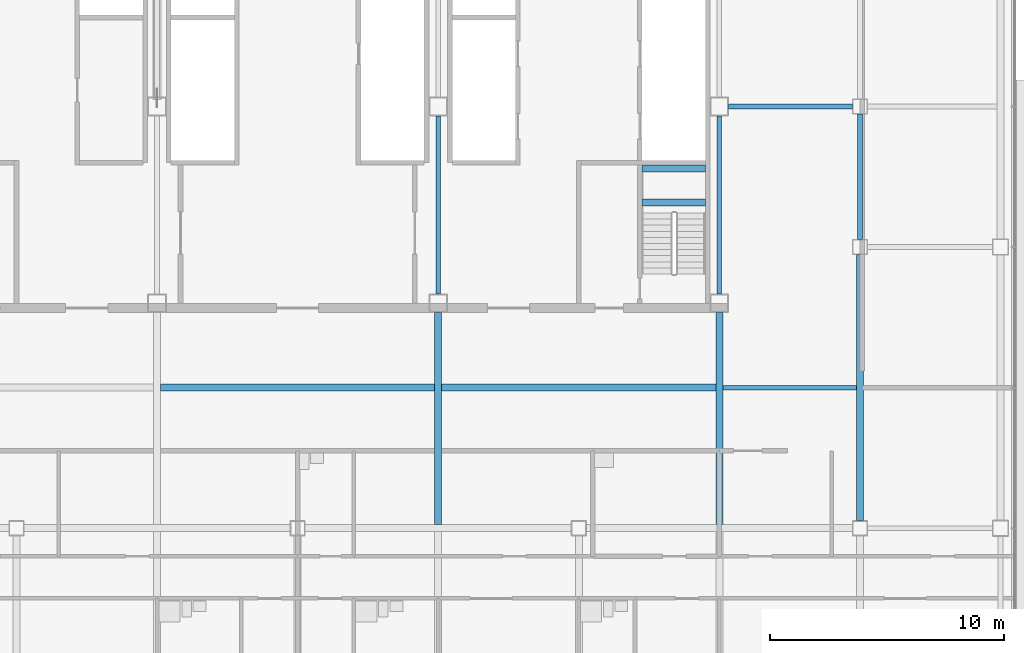
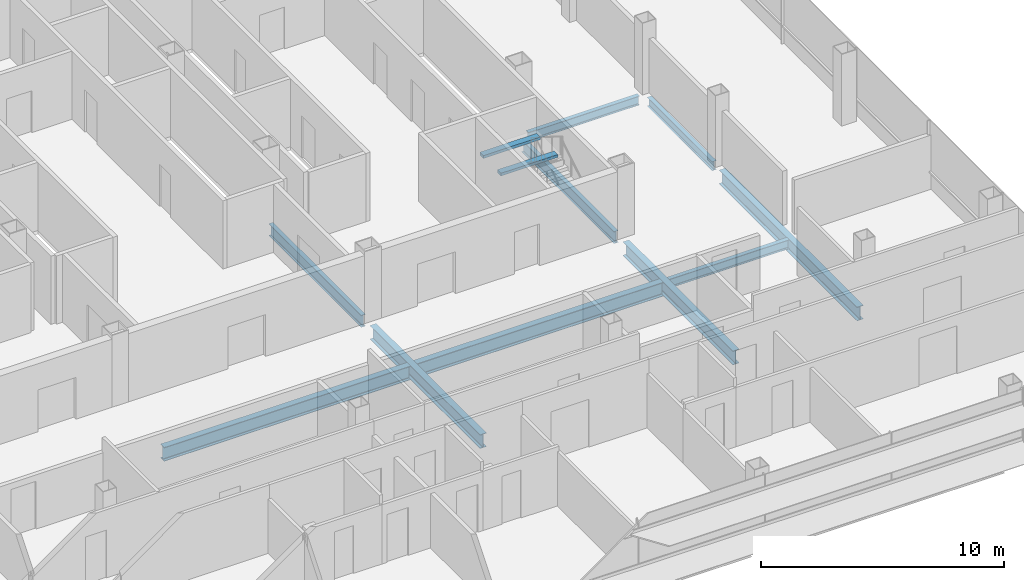
# One storey, part 10 of 27: 12 beams.
"""IFC4 building model written with IfcOpenShell, lengths in metres."""

import ifcopenshell
import ifcopenshell.guid

model = None  # the IFC model being written
_history = None  # IfcOwnerHistory: only IFC2X3 demands one
_inside = {}  # id of a spatial element -> (the spatial element, [elements in it])
_under = {}  # id of a project, library or spatial element -> (it, [spatial elements below it])
_declared = {}  # id of a project -> (the project, [libraries it declares])
_typed = {}  # id of a type object -> (the type object, [elements of that type])
_made_of = {}  # id of a material, layer set ... -> (it, [elements and type objects made of it])


def new_model(schema):
    """Start an empty IFC model of exactly this schema.

    Asked for "IFC4X3", IfcOpenShell would pick the latest addendum, in which some entities
    have other attributes; the version numbers below select the first issue.
    IFC2X3 requires an IfcOwnerHistory on every rooted entity: one is made here for all.
    """
    global model, _history
    if schema == "IFC4X3":
        model = ifcopenshell.file(schema_version=(4, 3, 0, 0))
    else:
        model = ifcopenshell.file(schema=schema)
    _inside.clear()
    _under.clear()
    _declared.clear()
    _typed.clear()
    _made_of.clear()
    _history = None
    if model.schema == "IFC2X3":
        org = make("IfcOrganization", Name="unknown")
        user = make(
            "IfcPersonAndOrganization",
            ThePerson=make("IfcPerson", FamilyName="unknown"),
            TheOrganization=org,
        )
        app = make(
            "IfcApplication",
            ApplicationDeveloper=org,
            Version="unknown",
            ApplicationFullName="unknown",
            ApplicationIdentifier="unknown",
        )
        _history = make(
            "IfcOwnerHistory",
            OwningUser=user,
            OwningApplication=app,
            ChangeAction="ADDED",
            CreationDate=0,
        )
    return model


def make(cls, **values):
    """One entity of the class cls with the attributes given. An attribute that is None is left unset."""
    return model.create_entity(
        cls, **{name: value for name, value in values.items() if value is not None}
    )


def rooted(cls, **values):
    """An entity with a GlobalId (a new one), such as an element, a storey or a relation."""
    return make(cls, GlobalId=ifcopenshell.guid.new(), OwnerHistory=_history, **values)


def si_unit(unit_type, name, prefix=None):
    """IfcSIUnit, for example si_unit("LENGTHUNIT", "METRE", prefix="MILLI")."""
    return make("IfcSIUnit", UnitType=unit_type, Prefix=prefix, Name=name)


def assignment(units):
    """IfcUnitAssignment: the units of a project."""
    return None if units is None else make("IfcUnitAssignment", Units=units)


def point(xyz):
    """IfcCartesianPoint."""
    return None if xyz is None else make("IfcCartesianPoint", Coordinates=xyz)


def direction(xyz):
    """IfcDirection."""
    return None if xyz is None else make("IfcDirection", DirectionRatios=xyz)


def frame(location, z_axis=None, x_axis=None):
    """IfcAxis2Placement3D, a coordinate frame: its origin and axes. An axis left out is left unset."""
    return make(
        "IfcAxis2Placement3D",
        Location=point(location),
        Axis=direction(z_axis),
        RefDirection=direction(x_axis),
    )


def frame_2d(location, x_axis=None):
    """IfcAxis2Placement2D, a coordinate frame in the plane: its origin and x axis."""
    return make(
        "IfcAxis2Placement2D", Location=point(location), RefDirection=direction(x_axis)
    )


def origin():
    """The frame at (0, 0, 0) with its axes left unset."""
    return frame((0.0, 0.0, 0.0))


def origin_2d():
    """The frame at (0, 0) in the plane with its x axis left unset."""
    return frame_2d((0.0, 0.0))


def place(relative_to, where):
    """IfcLocalPlacement: puts the frame where relative to a parent placement (None: the world)."""
    return make(
        "IfcLocalPlacement", PlacementRelTo=relative_to, RelativePlacement=where
    )


def context(
    kind, dimensions, precision=None, world=None, true_north=None, identifier=None
):
    """IfcGeometricRepresentationContext, for example the 3D "Model" context."""
    return make(
        "IfcGeometricRepresentationContext",
        ContextIdentifier=identifier,
        ContextType=kind,
        CoordinateSpaceDimension=dimensions,
        Precision=precision,
        WorldCoordinateSystem=world,
        TrueNorth=true_north,
    )


def subcontext(parent, identifier, kind, view, scale=None):
    """IfcGeometricRepresentationSubContext, for example "Body" below "Model"."""
    return make(
        "IfcGeometricRepresentationSubContext",
        ContextIdentifier=identifier,
        ContextType=kind,
        ParentContext=parent,
        TargetScale=scale,
        TargetView=view,
    )


def project(units=None, contexts=None):
    """IfcProject with its units and contexts."""
    return rooted(
        "IfcProject",
        Name="project",
        RepresentationContexts=contexts,
        UnitsInContext=assignment(units),
    )


def spatial(cls, under=None, at=None, **own):
    """A site, building, storey or space (cls), placed at a placement, below another one or the project."""
    s = rooted(cls, ObjectPlacement=at, **own)
    if under is not None:
        _under.setdefault(under.id(), (under, []))[1].append(s)
    return s


def profile(cls, at=None, kind="AREA", **sizes):
    """A parametric profile (cls). Its sizes go by their IFC names, for example OverallWidth=200.0."""
    return make(cls, ProfileType=kind, Position=at, **sizes)


def rectangle(**sizes):
    """IfcRectangleProfileDef."""
    return profile("IfcRectangleProfileDef", **sizes)


def i_section(**sizes):
    """IfcIShapeProfileDef."""
    return profile("IfcIShapeProfileDef", **sizes)


def extrude(swept, where, along, depth):
    """IfcExtrudedAreaSolid: the profile swept, set in the frame where, extruded along a direction by depth."""
    return make(
        "IfcExtrudedAreaSolid",
        SweptArea=swept,
        Position=where,
        ExtrudedDirection=direction(along),
        Depth=depth,
    )


def shape(context_of_items, identifier, shape_type, items):
    """IfcShapeRepresentation: the items that make up one representation, for example the "Body"."""
    return make(
        "IfcShapeRepresentation",
        ContextOfItems=context_of_items,
        RepresentationIdentifier=identifier,
        RepresentationType=shape_type,
        Items=items,
    )


def material(Name=None, Category=None):
    """IfcMaterial."""
    return make("IfcMaterial", Name=Name, Category=Category)


def material_profile(
    of_material, cross_section, Name=None, Category=None, Priority=None
):
    """IfcMaterialProfile: a cross section and its material."""
    return make(
        "IfcMaterialProfile",
        Name=Name,
        Material=of_material,
        Profile=cross_section,
        Priority=Priority,
        Category=Category,
    )


def profile_set(profiles, Name=None, composite=None):
    """IfcMaterialProfileSet."""
    return make(
        "IfcMaterialProfileSet",
        Name=Name,
        MaterialProfiles=profiles,
        CompositeProfile=composite,
    )


def made_of(thing, what):
    """Note that an element or type object is made of a material, layer set ...; save() writes the relation."""
    if what is not None:
        _made_of.setdefault(what.id(), (what, []))[1].append(thing)
    return thing


def type_object(cls, material=None, **own):
    """A type object (cls), such as IfcWallType, which elements share."""
    return made_of(rooted(cls, **own), material)


def element(
    cls,
    number,
    at=None,
    inside=None,
    cuts=None,
    type_object=None,
    material=None,
    context=None,
    identifier="Body",
    shape_type=None,
    held_by="IfcProductDefinitionShape",
    body=None,
    shapes=None,
    **own,
):
    """One element of the class cls, such as IfcWall. Its Tag is "e" and its number.

    at: its placement. inside: the storey or other place that contains it. cuts: it is an
    opening in that element (IfcRelVoidsElement). A single representation is given by context,
    identifier, shape_type and body (its items); several are given by shapes. held_by: the class
    of the entity that holds the representations. save() writes the other relations.
    """
    e = rooted(cls, Tag="e%d" % number, ObjectPlacement=at, **own)
    if body is not None:
        shapes = [shape(context, identifier, shape_type, body)]
    if shapes is not None:
        e.Representation = make(held_by, Representations=shapes)
    if inside is not None:
        _inside.setdefault(inside.id(), (inside, []))[1].append(e)
    if cuts is not None:
        rooted(
            "IfcRelVoidsElement", RelatingBuildingElement=cuts, RelatedOpeningElement=e
        )
    if type_object is not None:
        _typed.setdefault(type_object.id(), (type_object, []))[1].append(e)
    return made_of(e, material)


def aggregate(whole, parts):
    """IfcRelAggregates: a whole, such as a stair, and the parts it consists of."""
    return rooted("IfcRelAggregates", RelatingObject=whole, RelatedObjects=parts)


def save(model, path):
    """Write the relations noted so far, then the file.

    IfcRelAggregates (storeys below a building ...), IfcRelContainedInSpatialStructure (elements
    in a storey), IfcRelDefinesByType, IfcRelAssociatesMaterial and IfcRelDeclares: one each for
    every whole, place, type object, material and project.
    """
    for whole, parts in _under.values():
        aggregate(whole, parts)
    for where, things in _inside.values():
        rooted(
            "IfcRelContainedInSpatialStructure",
            RelatedElements=things,
            RelatingStructure=where,
        )
    for kind, things in _typed.values():
        rooted("IfcRelDefinesByType", RelatedObjects=things, RelatingType=kind)
    for what, things in _made_of.values():
        rooted("IfcRelAssociatesMaterial", RelatedObjects=things, RelatingMaterial=what)
    for by, libraries in _declared.values():
        rooted("IfcRelDeclares", RelatingContext=by, RelatedDefinitions=libraries)
    model.write(path)


model = new_model("IFC4")

# Units and contexts
model_context = context("Model", 3, precision=1e-05, world=origin(), true_north=direction((0.0, 1.0)))
body_context = subcontext(model_context, "Body", "Model", "MODEL_VIEW")
ifc_project = project(units=[si_unit("LENGTHUNIT", "METRE"), si_unit("AREAUNIT", "SQUARE_METRE"), si_unit("VOLUMEUNIT", "CUBIC_METRE"), si_unit("PLANEANGLEUNIT", "RADIAN"), si_unit("MASSUNIT", "GRAM", prefix="KILO")], contexts=[model_context])

# Site, building, storey
site_placement = place(None, origin())
site = spatial("IfcSite", under=ifc_project, at=site_placement, CompositionType="ELEMENT")
building_placement = place(site_placement, origin())
building = spatial("IfcBuilding", under=site, at=building_placement, Name="Sorahane Residences", CompositionType="ELEMENT")
storey_placement = place(building_placement, frame((0.0, 0.0, 195.60009765625)))
storey = spatial("IfcBuildingStorey", under=building, at=storey_placement, Name="L45", CompositionType="ELEMENT", Elevation=195.60009765625)

# Beams
ifc_material_1 = material(Name="Concrete C40", Category="concrete")
ifc_material_profile_1 = material_profile(ifc_material_1, rectangle(XDim=0.300048828125, YDim=0.139892578125, at=origin_2d()), Name="300x140")
ifc_profile_set_1 = profile_set([ifc_material_profile_1], Name="Concrete C40")
beam_type_1 = type_object("IfcBeamType", Name="RC landing beam 300 x 140 Concrete C40", PredefinedType="BEAM", material=ifc_profile_set_1)
for number, where, z_axis, x_axis, name in (
    (1, (38.699951171875, 25.89990234375, 1.52978515625), (1.0, 0.0, 0.0), (0.0, 1.0, 0.0), "Landing beam"),
    (2, (38.699951171875, 27.35009765625, 1.52978515625), (1.0, 0.0, 0.0), (0.0, 1.0, 0.0), "Landing beam"),
):
    element("IfcBeam", number, at=place(storey_placement, frame(where, z_axis=z_axis, x_axis=x_axis)), inside=storey, type_object=beam_type_1, Name=name, PredefinedType="BEAM", context=body_context, shape_type="SweptSolid", body=[
        extrude(rectangle(XDim=0.300048828125, YDim=0.139892578125, at=origin_2d()), origin(), (0.0, 0.0, 1.0), 2.699951171875),
    ])
ifc_material_2 = material(Name="Steel Q355B", Category="steel")
ifc_material_profile_2 = material_profile(ifc_material_2, i_section(OverallWidth=0.199951171875, OverallDepth=0.449951171875, WebThickness=0.009033203125, FlangeThickness=0.013916015625, FilletRadius=0.02001953125, at=origin_2d()), Name="HN 450x200x9x14")
ifc_profile_set_2 = profile_set([ifc_material_profile_2], Name="Steel Q355B")
beam_type_2 = type_object("IfcBeamType", Name="Steel floor beam HN 450x200x9x14 Q355B", PredefinedType="BEAM", material=ifc_profile_set_2)
beam_1_placement = place(storey_placement, frame((48.0, 24.324951171875, -0.405029296875), z_axis=(0.0, 1.0, 0.0), x_axis=(-1.0, 0.0, 0.0)))
element("IfcBeam", 3, at=beam_1_placement, inside=storey, type_object=beam_type_2, Name="Beam L45 060", PredefinedType="BEAM", context=body_context, shape_type="SweptSolid", body=[
    extrude(i_section(OverallWidth=0.199951171875, OverallDepth=0.449951171875, WebThickness=0.009033203125, FlangeThickness=0.013916015625, FilletRadius=0.02001953125, at=origin_2d()), origin(), (0.0, 0.0, 1.0), 5.35009765625),
])
beam_2_placement = place(storey_placement, frame((42.14990234375, 18.0, -0.405029296875), z_axis=(1.0, 0.0, 0.0), x_axis=(0.0, 1.0, 0.0)))
element("IfcBeam", 4, at=beam_2_placement, inside=storey, type_object=beam_type_2, Name="Beam L45 083", PredefinedType="BEAM", context=body_context, shape_type="SweptSolid", body=[
    extrude(i_section(OverallWidth=0.199951171875, OverallDepth=0.449951171875, WebThickness=0.009033203125, FlangeThickness=0.013916015625, FilletRadius=0.02001953125, at=origin_2d()), origin(), (0.0, 0.0, 1.0), 5.7001953125),
])
beam_3_placement = place(storey_placement, frame((42.39990234375, 30.0, -0.405029296875), z_axis=(1.0, 0.0, 0.0), x_axis=(0.0, 1.0, 0.0)))
element("IfcBeam", 5, at=beam_3_placement, inside=storey, type_object=beam_type_2, Name="Beam L45 087", PredefinedType="BEAM", context=body_context, shape_type="SweptSolid", body=[
    extrude(i_section(OverallWidth=0.199951171875, OverallDepth=0.449951171875, WebThickness=0.009033203125, FlangeThickness=0.013916015625, FilletRadius=0.02001953125, at=origin_2d()), origin(), (0.0, 0.0, 1.0), 5.275146484375),
])
ifc_material_3 = material(Name="Steel Q355B", Category="steel")
ifc_material_profile_3 = material_profile(ifc_material_3, i_section(OverallWidth=0.199951171875, OverallDepth=0.60009765625, WebThickness=0.010986328125, FlangeThickness=0.01708984375, FilletRadius=0.02392578125, at=origin_2d()), Name="HN 600x200x11x17")
ifc_profile_set_3 = profile_set([ifc_material_profile_3], Name="Steel Q355B")
beam_type_3 = type_object("IfcBeamType", Name="Steel floor beam HN 600x200x11x17 Q355B", PredefinedType="BEAM", material=ifc_profile_set_3)
for number, where, z_axis, x_axis, name in (
    (6, (30.0, 22.0, -0.47998046875), (0.0, 1.0, 0.0), (-1.0, 0.0, 0.0), "Beam L45 046"),
    (7, (42.0, 22.0, -0.47998046875), (0.0, 1.0, 0.0), (-1.0, 0.0, 0.0), "Beam L45 054"),
):
    element("IfcBeam", number, at=place(storey_placement, frame(where, z_axis=z_axis, x_axis=x_axis)), inside=storey, type_object=beam_type_3, Name=name, PredefinedType="BEAM", context=body_context, shape_type="SweptSolid", body=[
        extrude(i_section(OverallWidth=0.199951171875, OverallDepth=0.60009765625, WebThickness=0.010986328125, FlangeThickness=0.01708984375, FilletRadius=0.02392578125, at=origin_2d()), origin(), (0.0, 0.0, 1.0), 7.60009765625),
    ])
ifc_material_4 = material(Name="Steel Q355B", Category="steel")
ifc_material_profile_4 = material_profile(ifc_material_4, i_section(OverallWidth=0.300048828125, OverallDepth=0.699951171875, WebThickness=0.012939453125, FlangeThickness=0.02392578125, FilletRadius=0.028076171875, at=origin_2d()), Name="HN 700x300x13x24")
ifc_profile_set_4 = profile_set([ifc_material_profile_4], Name="Steel Q355B")
beam_type_4 = type_object("IfcBeamType", Name="Steel floor beam HN 700x300x13x24 Q355B", PredefinedType="BEAM", material=ifc_profile_set_4)
for number, where, z_axis, x_axis, name in (
    (8, (30.0, 12.14990234375, -0.530029296875), (0.0, 1.0, 0.0), (-1.0, 0.0, 0.0), "Beam L45 045"),
    (9, (42.0, 12.14990234375, -0.530029296875), (0.0, 1.0, 0.0), (-1.0, 0.0, 0.0), "Beam L45 053"),
):
    element("IfcBeam", number, at=place(storey_placement, frame(where, z_axis=z_axis, x_axis=x_axis)), inside=storey, type_object=beam_type_4, Name=name, PredefinedType="BEAM", context=body_context, shape_type="SweptSolid", body=[
        extrude(i_section(OverallWidth=0.300048828125, OverallDepth=0.699951171875, WebThickness=0.012939453125, FlangeThickness=0.02392578125, FilletRadius=0.028076171875, at=origin_2d()), origin(), (0.0, 0.0, 1.0), 9.050048828125),
    ])
beam_4_placement = place(storey_placement, frame((48.0, 12.324951171875, -0.530029296875), z_axis=(0.0, 1.0, 0.0), x_axis=(-1.0, 0.0, 0.0)))
element("IfcBeam", 10, at=beam_4_placement, inside=storey, type_object=beam_type_4, Name="Beam L45 059", PredefinedType="BEAM", context=body_context, shape_type="SweptSolid", body=[
    extrude(i_section(OverallWidth=0.300048828125, OverallDepth=0.699951171875, WebThickness=0.012939453125, FlangeThickness=0.02392578125, FilletRadius=0.028076171875, at=origin_2d()), origin(), (0.0, 0.0, 1.0), 11.35009765625),
])
for number, where, z_axis, x_axis, name in (
    (11, (18.14990234375, 18.0, -0.530029296875), (1.0, 0.0, 0.0), (0.0, 1.0, 0.0), "Beam L45 081"),
    (12, (30.14990234375, 18.0, -0.530029296875), (1.0, 0.0, 0.0), (0.0, 1.0, 0.0), "Beam L45 082"),
):
    element("IfcBeam", number, at=place(storey_placement, frame(where, z_axis=z_axis, x_axis=x_axis)), inside=storey, type_object=beam_type_4, Name=name, PredefinedType="BEAM", context=body_context, shape_type="SweptSolid", body=[
        extrude(i_section(OverallWidth=0.300048828125, OverallDepth=0.699951171875, WebThickness=0.012939453125, FlangeThickness=0.02392578125, FilletRadius=0.028076171875, at=origin_2d()), origin(), (0.0, 0.0, 1.0), 11.7001953125),
    ])

save(model, "model.ifc")
